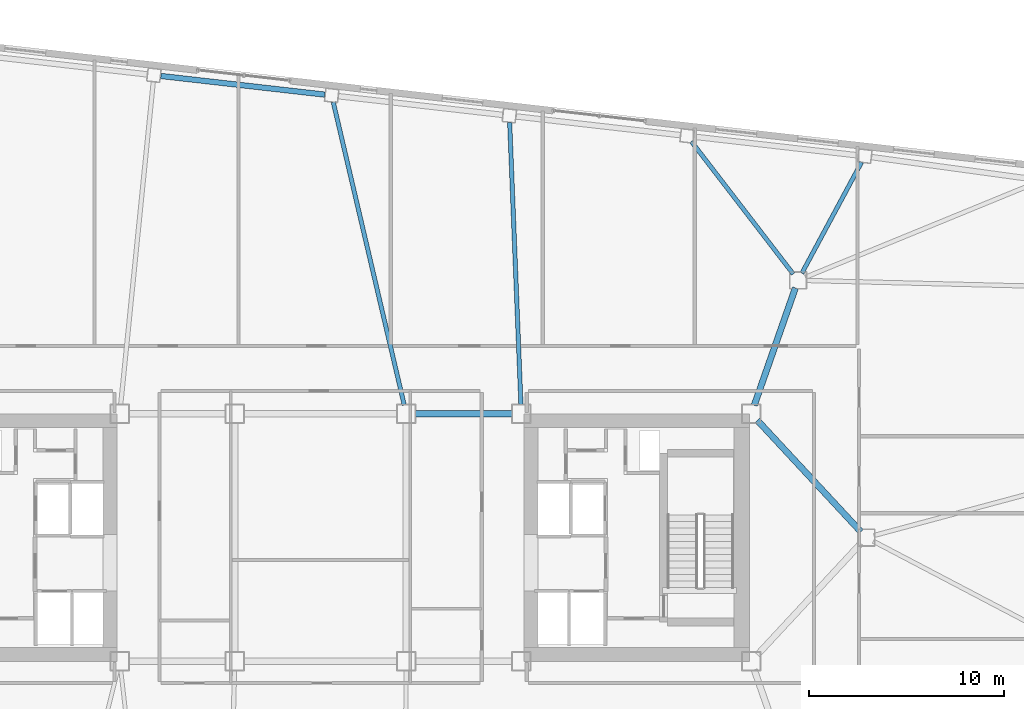
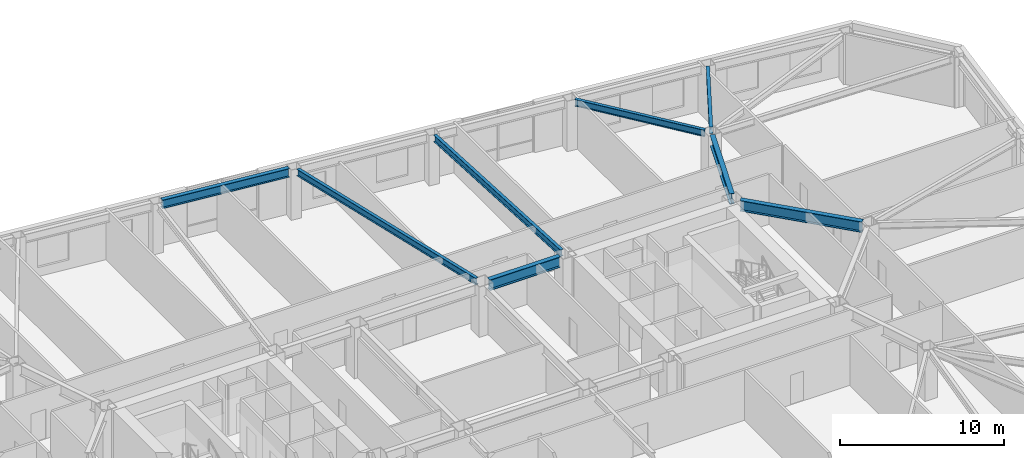
# One storey, part 6 of 19: 8 beams.
"""IFC4 building model written with IfcOpenShell, lengths in metres."""

from ifc_helpers import new_model, si_unit, direction, frame, origin, origin_2d, place, context, subcontext, project, spatial, i_section, extrude, material, material_profile, profile_set, type_object, element, save


model = new_model("IFC4")

# Units and contexts
model_context = context("Model", 3, precision=1e-05, world=origin(), true_north=direction((0.0, 1.0)))
body_context = subcontext(model_context, "Body", "Model", "MODEL_VIEW")
ifc_project = project(units=[si_unit("LENGTHUNIT", "METRE"), si_unit("AREAUNIT", "SQUARE_METRE"), si_unit("VOLUMEUNIT", "CUBIC_METRE"), si_unit("PLANEANGLEUNIT", "RADIAN"), si_unit("MASSUNIT", "GRAM", prefix="KILO")], contexts=[model_context])

# Site, building, storey
site_placement = place(None, origin())
site = spatial("IfcSite", under=ifc_project, at=site_placement, CompositionType="ELEMENT")
building_placement = place(site_placement, origin())
building = spatial("IfcBuilding", under=site, at=building_placement, Name="Tavrogorsk Clinical Tower", CompositionType="ELEMENT")
storey_placement = place(building_placement, frame((0.0, 0.0, 101.39990234375)))
storey = spatial("IfcBuildingStorey", under=building, at=storey_placement, Name="L22", CompositionType="ELEMENT", Elevation=101.39990234375)

# Beams
ifc_material_1 = material(Name="Structural steel S355", Category="steel")
ifc_material_profile_1 = material_profile(ifc_material_1, i_section(OverallWidth=0.219970703125, OverallDepth=0.5, WebThickness=0.012939453125, FlangeThickness=0.02001953125, at=origin_2d()), Name="B-500x220x13x20")
ifc_profile_set_1 = profile_set([ifc_material_profile_1], Name="Structural steel S355")
beam_type_1 = type_object("IfcBeamType", Name="FloorBeam_B500", PredefinedType="BEAM", material=ifc_profile_set_1)
beam_1_placement = place(storey_placement, frame((24.6943359375, 13.56103515625, 3.489990234375), z_axis=(0.473788919736, 0.880638438597, 0.0), x_axis=(-0.880638438597, 0.473788919736, 0.0)))
element("IfcBeam", 1, at=beam_1_placement, inside=storey, type_object=beam_type_1, Name="L22 Radial Floor Beam N2", PredefinedType="BEAM", context=body_context, shape_type="SweptSolid", body=[
    extrude(i_section(OverallWidth=0.219970703125, OverallDepth=0.5, WebThickness=0.012939453125, FlangeThickness=0.02001953125, at=origin_2d()), origin(), (0.0, 0.0, 1.0), 6.462890625),
])
beam_2_placement = place(storey_placement, frame((24.250244140625, 13.525146484375, 3.489990234375), z_axis=(-0.609376288757, 0.792881163038, 0.0), x_axis=(-0.792881163038, -0.609376288757, 0.0)))
element("IfcBeam", 2, at=beam_2_placement, inside=storey, type_object=beam_type_1, Name="L22 Radial Floor Beam N3", PredefinedType="BEAM", context=body_context, shape_type="SweptSolid", body=[
    extrude(i_section(OverallWidth=0.219970703125, OverallDepth=0.5, WebThickness=0.012939453125, FlangeThickness=0.02001953125, at=origin_2d()), origin(), (0.0, 0.0, 1.0), 8.5732421875),
])
beam_3_placement = place(storey_placement, frame((10.28173828125, 6.8095703125, 3.489990234375), z_axis=(-0.039881908424, 0.999204400201, 0.0), x_axis=(-0.999204400201, -0.039881908424, 0.0)))
element("IfcBeam", 3, at=beam_3_placement, inside=storey, type_object=beam_type_1, Name="L22 Radial Floor Beam N4", PredefinedType="BEAM", context=body_context, shape_type="SweptSolid", body=[
    extrude(i_section(OverallWidth=0.219970703125, OverallDepth=0.5, WebThickness=0.012939453125, FlangeThickness=0.02001953125, at=origin_2d()), origin(), (0.0, 0.0, 1.0), 14.48974609375),
])
beam_4_placement = place(storey_placement, frame((4.294921875, 6.7978515625, 3.489990234375), z_axis=(-0.228197667081, 0.973614823603, 0.0), x_axis=(-0.973614823603, -0.228197667081, 0.0)))
element("IfcBeam", 4, at=beam_4_placement, inside=storey, type_object=beam_type_1, Name="L22 Radial Floor Beam N5", PredefinedType="BEAM", context=body_context, shape_type="SweptSolid", body=[
    extrude(i_section(OverallWidth=0.219970703125, OverallDepth=0.5, WebThickness=0.012939453125, FlangeThickness=0.02001953125, at=origin_2d()), origin(), (0.0, 0.0, 1.0), 15.959228515625),
])
ifc_material_2 = material(Name="Structural steel S390", Category="steel")
ifc_material_profile_2 = material_profile(ifc_material_2, i_section(OverallWidth=0.320068359375, OverallDepth=0.800048828125, WebThickness=0.02001953125, FlangeThickness=0.033935546875, at=origin_2d()), Name="B-800x320x20x34")
ifc_profile_set_2 = profile_set([ifc_material_profile_2], Name="Structural steel S390")
beam_type_2 = type_object("IfcBeamType", Name="PrimaryGirder_B800", PredefinedType="USERDEFINED", material=ifc_profile_set_2)
beam_5_placement = place(storey_placement, frame((4.860107421875, 6.35009765625, 3.340087890625), z_axis=(1.0, 0.0, 0.0), x_axis=(0.0, 1.0, 0.0)))
element("IfcBeam", 5, at=beam_5_placement, inside=storey, type_object=beam_type_2, Name="L22 Primary Spine Girder MG-06", ObjectType="GIRDER", PredefinedType="USERDEFINED", context=body_context, shape_type="SweptSolid", body=[
    extrude(i_section(OverallWidth=0.320068359375, OverallDepth=0.800048828125, WebThickness=0.02001953125, FlangeThickness=0.033935546875, at=origin_2d()), origin(), (0.0, 0.0, 1.0), 4.97998046875),
])
beam_6_placement = place(storey_placement, frame((24.364501953125, 12.81298828125, 3.340087890625), z_axis=(-0.330660234815, -0.943749865755, 0.0), x_axis=(0.943749865755, -0.330660234815, 0.0)))
element("IfcBeam", 6, at=beam_6_placement, inside=storey, type_object=beam_type_2, Name="L22 Spine Link Girder OPG-4", ObjectType="GIRDER", PredefinedType="USERDEFINED", context=body_context, shape_type="SweptSolid", body=[
    extrude(i_section(OverallWidth=0.320068359375, OverallDepth=0.800048828125, WebThickness=0.02001953125, FlangeThickness=0.033935546875, at=origin_2d()), origin(), (0.0, 0.0, 1.0), 6.38818359375),
])
beam_7_placement = place(storey_placement, frame((27.720947265625, 0.30029296875, 3.340087890625), z_axis=(-0.680675630035, 0.732584934787, 0.0), x_axis=(-0.732584934787, -0.680675630035, 0.0)))
element("IfcBeam", 7, at=beam_7_placement, inside=storey, type_object=beam_type_2, Name="L22 Spine Link Girder OPG-8", ObjectType="GIRDER", PredefinedType="USERDEFINED", context=body_context, shape_type="SweptSolid", body=[
    extrude(i_section(OverallWidth=0.320068359375, OverallDepth=0.800048828125, WebThickness=0.02001953125, FlangeThickness=0.033935546875, at=origin_2d()), origin(), (0.0, 0.0, 1.0), 7.7978515625),
])
ifc_material_3 = material(Name="Structural steel S390", Category="steel")
ifc_material_profile_3 = material_profile(ifc_material_3, i_section(OverallWidth=0.280029296875, OverallDepth=0.64990234375, WebThickness=0.01611328125, FlangeThickness=0.02490234375, at=origin_2d()), Name="B-650x280x16x25")
ifc_profile_set_3 = profile_set([ifc_material_profile_3], Name="Structural steel S390")
beam_type_3 = type_object("IfcBeamType", Name="SpandrelBeam_B650", PredefinedType="SPANDREL", material=ifc_profile_set_3)
beam_8_placement = place(storey_placement, frame((0.2158203125, 22.724853515625, 3.4150390625), z_axis=(-0.993569819641, 0.113221082395, 0.0), x_axis=(-0.113221082395, -0.993569819641, 0.0)))
element("IfcBeam", 8, at=beam_8_placement, inside=storey, type_object=beam_type_3, Name="L22 Perimeter Spandrel N5-N6", PredefinedType="SPANDREL", context=body_context, shape_type="SweptSolid", body=[
    extrude(i_section(OverallWidth=0.280029296875, OverallDepth=0.64990234375, WebThickness=0.01611328125, FlangeThickness=0.02490234375, at=origin_2d()), origin(), (0.0, 0.0, 1.0), 8.46142578125),
])

save(model, "model.ifc")
